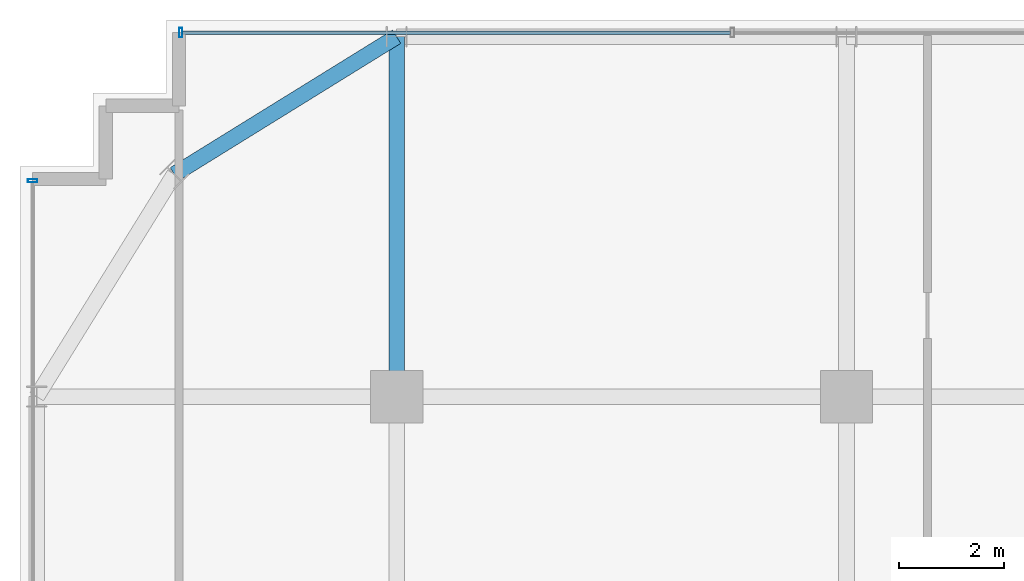
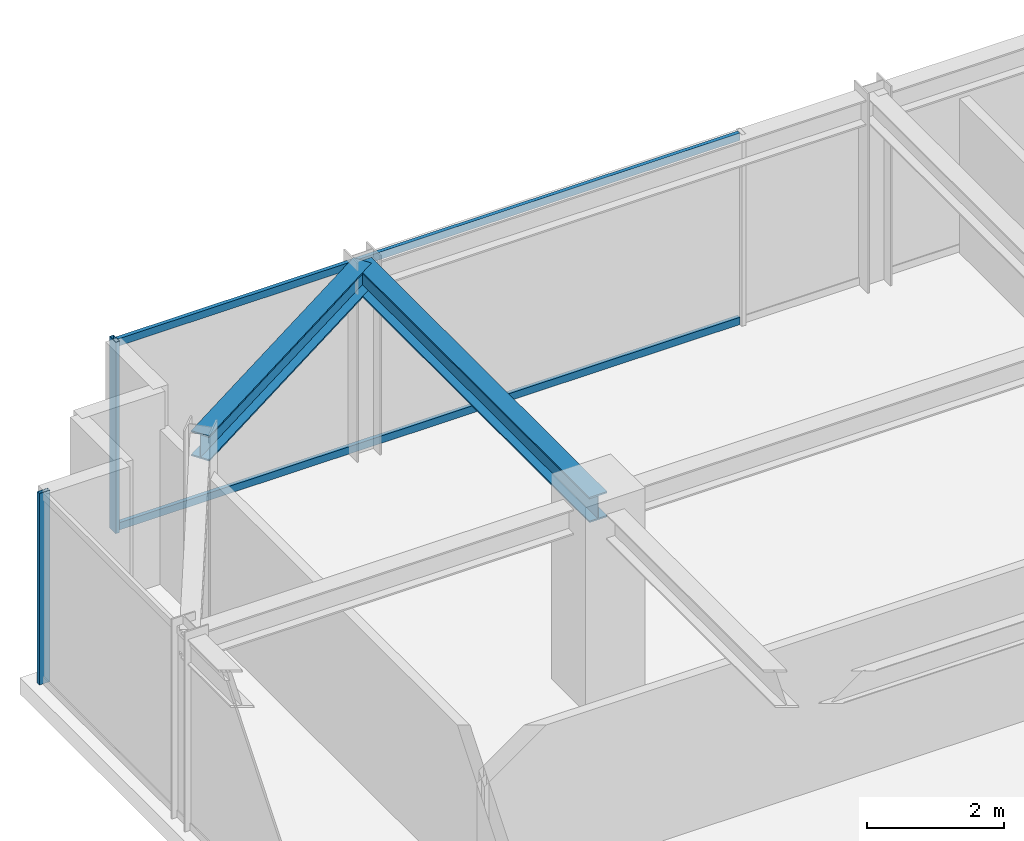
# One storey, part 20 of 36: 4 members, 2 beams, 2 elements without a shape of their own.
"""IFC4 building model written with IfcOpenShell, lengths in metres."""

from ifc_helpers import new_model, si_unit, direction, frame, origin, origin_2d, place, context, subcontext, project, spatial, hollow_rectangle, i_section, extrude, source, transform, mapped, material, material_profile, profile_set, type_object, element, aggregate, save


model = new_model("IFC4")

# Units and contexts
model_context = context("Model", 3, precision=1e-05, world=origin(), true_north=direction((0.0, 1.0)))
body_context = subcontext(model_context, "Body", "Model", "MODEL_VIEW")
ifc_project = project(units=[si_unit("LENGTHUNIT", "METRE"), si_unit("AREAUNIT", "SQUARE_METRE"), si_unit("VOLUMEUNIT", "CUBIC_METRE"), si_unit("PLANEANGLEUNIT", "RADIAN"), si_unit("MASSUNIT", "GRAM", prefix="KILO")], contexts=[model_context])

# Site, building, storey
site_placement = place(None, origin())
site = spatial("IfcSite", under=ifc_project, at=site_placement, CompositionType="ELEMENT")
building_placement = place(site_placement, origin())
building = spatial("IfcBuilding", under=site, at=building_placement, Name="Nahalor Promenade Grand Hotel", CompositionType="ELEMENT")
storey_placement = place(building_placement, frame((0.0, 0.0, 253.0)))
storey = spatial("IfcBuildingStorey", under=building, at=storey_placement, Name="L65", CompositionType="ELEMENT", Elevation=253.0)

# Beams
ifc_material_1 = material(Name="Steel S355JR", Category="steel")
ifc_material_profile_1 = material_profile(ifc_material_1, i_section(OverallWidth=0.3, OverallDepth=0.45, WebThickness=0.014, FlangeThickness=0.026, at=origin_2d()), Name="HEB 450")
ifc_profile_set_1 = profile_set([ifc_material_profile_1], Name="Steel S355JR")
beam_type_1 = type_object("IfcBeamType", Name="Beam-Spandrel-HEB450", PredefinedType="SPANDREL", material=ifc_profile_set_1)
shared_shape_1 = source(origin(), body_context, "Body", "SweptSolid", [
    extrude(i_section(OverallWidth=0.3, OverallDepth=0.45, WebThickness=0.014, FlangeThickness=0.026, at=origin_2d()), origin(), (0.0, 0.0, 1.0), 4.997802734375),
])
beam_1_placement = place(storey_placement, frame((-17.0, 23.8798828125, 3.18505859375), z_axis=(-0.850360908404, -0.526199891161, 0.0), x_axis=(0.526199891161, -0.850360908404, 0.0)))
element("IfcBeam", 1, at=beam_1_placement, inside=storey, type_object=beam_type_1, Name="BM-L65-SPC-NW-1", PredefinedType="SPANDREL", context=body_context, shape_type="MappedRepresentation", body=[
    mapped(shared_shape_1, transform((0.0, 0.0, 0.0), scale=1.0)),
])
ifc_material_profile_2 = material_profile(ifc_material_1, i_section(OverallWidth=0.3, OverallDepth=0.45, WebThickness=0.014, FlangeThickness=0.026, at=origin_2d()), Name="HEB 450")
ifc_profile_set_2 = profile_set([ifc_material_profile_2], Name="Steel S355JR")
beam_type_2 = type_object("IfcBeamType", Name="Beam-Girder-HEB450", PredefinedType="BEAM", material=ifc_profile_set_2)
shared_shape_2 = source(origin(), body_context, "Body", "SweptSolid", [
    extrude(i_section(OverallWidth=0.3, OverallDepth=0.45, WebThickness=0.014, FlangeThickness=0.026, at=origin_2d()), origin(), (0.0, 0.0, 1.0), 6.8798828125),
])
beam_2_placement = place(storey_placement, frame((-17.0, 17.0, 3.18505859375), z_axis=(0.0, 1.0, 0.0), x_axis=(-1.0, 0.0, 0.0)))
element("IfcBeam", 2, at=beam_2_placement, inside=storey, type_object=beam_type_2, Name="BM-L65-GY-0-4", PredefinedType="BEAM", context=body_context, shape_type="MappedRepresentation", body=[
    mapped(shared_shape_2, transform((0.0, 0.0, 0.0), scale=1.0)),
])

# Curtain wall, members
ifc_material_2 = material(Name="Anodised Bronze Aluminium EN AW-6063 T6", Category="aluminium")
curtain_wall_type = type_object("IfcCurtainWallType", Name="CW2 Typical Hotel Flush Bronze Unitised Curtain Wall", PredefinedType="USERDEFINED", material=ifc_material_2)
curtain_wall_1_placement = place(storey_placement, origin())
curtain_wall_1 = element("IfcCurtainWall", 3, at=curtain_wall_1_placement, inside=storey, type_object=curtain_wall_type, Name="L65 Curtain Wall CW-L65-N-1", ObjectType="UNITISED_CURTAIN_WALL", PredefinedType="USERDEFINED")
ifc_material_profile_3 = material_profile(ifc_material_2, hollow_rectangle(XDim=0.065, YDim=0.13, WallThickness=0.004, at=origin_2d()), Name="CWT 65x130x4")
ifc_profile_set_3 = profile_set([ifc_material_profile_3], Name="Anodised Bronze Aluminium EN AW-6063 T6")
member_type_1 = type_object("IfcMemberType", Name="CWT2 Typical Bronze Transom 65x130", PredefinedType="USERDEFINED", material=ifc_profile_set_3)
shared_shape_3 = source(origin(), body_context, "Body", "SweptSolid", [
    extrude(hollow_rectangle(XDim=0.065, YDim=0.13, WallThickness=0.004, at=origin_2d()), origin(), (0.0, 0.0, 1.0), 10.482421875),
])
member_1_placement = place(storey_placement, frame((-21.094970703125, 23.9599609375, 0.06494140625), z_axis=(1.0, 0.0, 0.0), x_axis=(0.0, 1.0, 0.0)))
member_1 = element("IfcMember", 4, at=member_1_placement, type_object=member_type_1, Name="CW-L65-N-1 Transom 0-0", ObjectType="TRANSOM", PredefinedType="USERDEFINED", context=body_context, shape_type="MappedRepresentation", body=[
    mapped(shared_shape_3, transform((0.0, 0.0, 0.0), scale=1.0)),
])
member_2_placement = place(storey_placement, frame((-21.094970703125, 23.9599609375, 3.344970703125), z_axis=(1.0, 0.0, 0.0), x_axis=(0.0, 1.0, 0.0)))
member_2 = element("IfcMember", 5, at=member_2_placement, type_object=member_type_1, Name="CW-L65-N-1 Transom 0-1", ObjectType="TRANSOM", PredefinedType="USERDEFINED", context=body_context, shape_type="MappedRepresentation", body=[
    mapped(shared_shape_3, transform((0.0, 0.0, 0.0), scale=1.0)),
])
ifc_material_profile_4 = material_profile(ifc_material_2, hollow_rectangle(XDim=0.065, YDim=0.18, WallThickness=0.004, at=origin_2d()), Name="CWM 65x180x4")
ifc_profile_set_4 = profile_set([ifc_material_profile_4], Name="Anodised Bronze Aluminium EN AW-6063 T6")
member_type_2 = type_object("IfcMemberType", Name="CWM2 Typical Bronze Mullion 65x180", PredefinedType="MULLION", material=ifc_profile_set_4)
shared_shape_4 = source(origin(), body_context, "Body", "SweptSolid", [
    extrude(hollow_rectangle(XDim=0.065, YDim=0.18, WallThickness=0.004, at=origin_2d()), origin(), (0.0, 0.0, 1.0), 3.409912109375),
])
member_3_placement = place(storey_placement, frame((-21.12744140625, 23.9599609375, 0.0), z_axis=(0.0, 0.0, 1.0), x_axis=(1.0, 0.0, 0.0)))
member_3 = element("IfcMember", 6, at=member_3_placement, type_object=member_type_2, Name="CW-L65-N-1 Mullion 0", PredefinedType="MULLION", context=body_context, shape_type="MappedRepresentation", body=[
    mapped(shared_shape_4, transform((0.0, 0.0, 0.0), scale=1.0)),
])
aggregate(curtain_wall_1, [member_3, member_1, member_2])

# Curtain wall, member
curtain_wall_2_placement = place(storey_placement, origin())
curtain_wall_2 = element("IfcCurtainWall", 7, at=curtain_wall_2_placement, inside=storey, type_object=curtain_wall_type, Name="L65 Curtain Wall CW-L65-W-1", ObjectType="UNITISED_CURTAIN_WALL", PredefinedType="USERDEFINED")
member_4_placement = place(storey_placement, frame((-23.9599609375, 21.12744140625, 0.0), z_axis=(0.0, 0.0, 1.0), x_axis=(0.0, 1.0, 0.0)))
member_4 = element("IfcMember", 8, at=member_4_placement, type_object=member_type_2, Name="CW-L65-W-1 Mullion 4", PredefinedType="MULLION", context=body_context, shape_type="MappedRepresentation", body=[
    mapped(shared_shape_4, transform((0.0, 0.0, 0.0), scale=1.0)),
])
aggregate(curtain_wall_2, [member_4])

save(model, "model.ifc")
